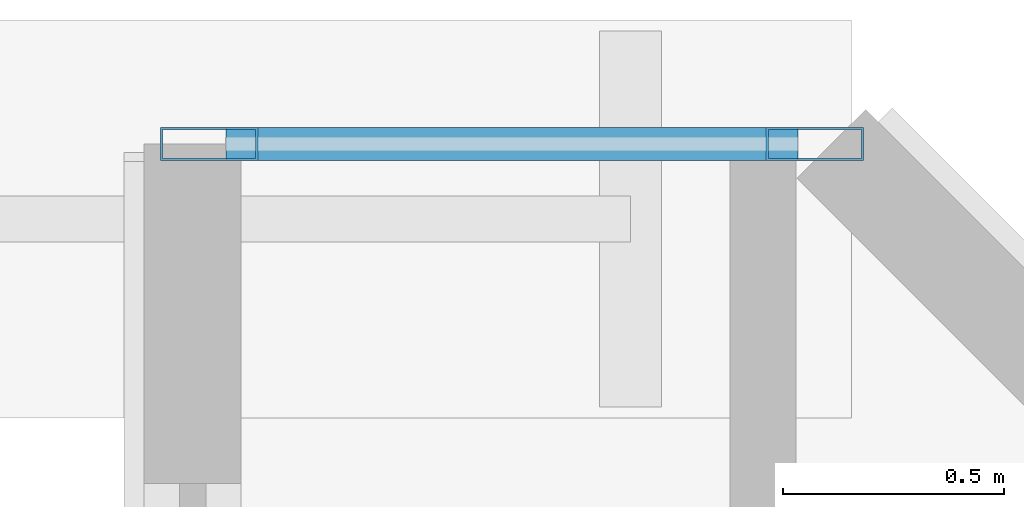
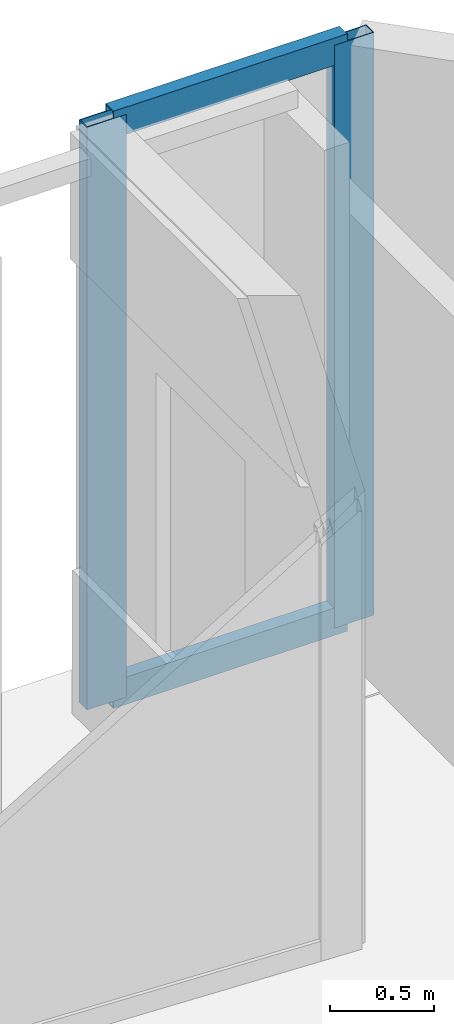
# One storey, part 19 of 32: 4 members, 1 element without a shape of its own.
"""IFC4 building model written with IfcOpenShell, lengths in metres."""

from ifc_helpers import new_model, si_unit, direction, frame, origin, origin_2d, place, context, subcontext, project, spatial, hollow_rectangle, extrude, material, layer, layer_set, material_profile, profile_set, type_object, element, aggregate, save


model = new_model("IFC4")

# Units and contexts
model_context = context("Model", 3, precision=1e-05, world=origin(), true_north=direction((0.0, 1.0)))
body_context = subcontext(model_context, "Body", "Model", "MODEL_VIEW")
ifc_project = project(units=[si_unit("LENGTHUNIT", "METRE"), si_unit("AREAUNIT", "SQUARE_METRE"), si_unit("VOLUMEUNIT", "CUBIC_METRE"), si_unit("PLANEANGLEUNIT", "RADIAN"), si_unit("MASSUNIT", "GRAM", prefix="KILO")], contexts=[model_context])

# Site, building, storey
site_placement = place(None, origin())
site = spatial("IfcSite", under=ifc_project, at=site_placement, CompositionType="ELEMENT")
building_placement = place(site_placement, origin())
building = spatial("IfcBuilding", under=site, at=building_placement, Name="Tanjung Sevakor Pilgrim Tower", CompositionType="ELEMENT")
storey_placement = place(building_placement, frame((0.0, 0.0, 211.860107421875)))
storey = spatial("IfcBuildingStorey", under=building, at=storey_placement, Name="L59", CompositionType="ELEMENT", Elevation=211.860107421875)

# Curtain wall, members
ifc_material_1 = material(Name="Aluminium 6063-T6 and Low-E Glass", Category="aluminium")
ifc_layer = layer(ifc_material_1, 0.199951171875)
ifc_layer_set = layer_set([ifc_layer], Name="CW-SYS-PRAY")
curtain_wall_type = type_object("IfcCurtainWallType", Name="CW-SYS-PRAY", PredefinedType="NOTDEFINED", material=ifc_layer_set)
curtain_wall_placement = place(storey_placement, origin())
curtain_wall = element("IfcCurtainWall", 1, at=curtain_wall_placement, inside=storey, type_object=curtain_wall_type, Name="L59 Curtain Wall CW-PRY-L59-18", PredefinedType="NOTDEFINED")
ifc_material_2 = material(Name="Aluminium 6063-T6", Category="aluminium")
ifc_material_profile_1 = material_profile(ifc_material_2, hollow_rectangle(XDim=0.074951171875, YDim=0.219970703125, WallThickness=0.0048828125, at=origin_2d()))
ifc_profile_set_1 = profile_set([ifc_material_profile_1], Name="Aluminium 6063-T6")
member_type_1 = type_object("IfcMemberType", Name="TYPE-CWM-2", PredefinedType="MULLION", material=ifc_profile_set_1)
member_1_placement = place(storey_placement, frame((95.31689453125, 55.0400390625, 0.0), z_axis=(0.0, 0.0, 1.0), x_axis=(0.0, -1.0, 0.0)))
member_1 = element("IfcMember", 2, at=member_1_placement, type_object=member_type_1, Name="CW-PRY mullion 1", PredefinedType="MULLION", context=body_context, shape_type="SweptSolid", body=[
    extrude(hollow_rectangle(XDim=0.074951171875, YDim=0.219970703125, WallThickness=0.0048828125, at=origin_2d()), origin(), (0.0, 0.0, 1.0), 3.409912109375),
])
member_2_placement = place(storey_placement, frame((93.947509765625, 55.0400390625, 0.0), z_axis=(0.0, 0.0, 1.0), x_axis=(0.0, -1.0, 0.0)))
member_2 = element("IfcMember", 3, at=member_2_placement, type_object=member_type_1, Name="CW-PRY mullion 2", PredefinedType="MULLION", context=body_context, shape_type="SweptSolid", body=[
    extrude(hollow_rectangle(XDim=0.074951171875, YDim=0.219970703125, WallThickness=0.0048828125, at=origin_2d()), origin(), (0.0, 0.0, 1.0), 3.409912109375),
])
ifc_material_3 = material(Name="Aluminium 6063-T6", Category="aluminium")
ifc_material_profile_2 = material_profile(ifc_material_3, hollow_rectangle(XDim=0.074951171875, YDim=0.159912109375, WallThickness=0.00439453125, at=origin_2d()))
ifc_profile_set_2 = profile_set([ifc_material_profile_2], Name="Aluminium 6063-T6")
member_type_2 = type_object("IfcMemberType", Name="TYPE-CWT-2", PredefinedType="USERDEFINED", material=ifc_profile_set_2)
member_3_placement = place(storey_placement, frame((95.279296875, 55.0400390625, 0.037353515625), z_axis=(-1.0, 0.0, 0.0), x_axis=(0.0, -1.0, 0.0)))
member_3 = element("IfcMember", 4, at=member_3_placement, type_object=member_type_2, Name="CW-PRY transom 1.1", ObjectType="TRANSOM", PredefinedType="USERDEFINED", context=body_context, shape_type="SweptSolid", body=[
    extrude(hollow_rectangle(XDim=0.074951171875, YDim=0.159912109375, WallThickness=0.00439453125, at=origin_2d()), origin(), (0.0, 0.0, 1.0), 1.294189453125),
])
member_4_placement = place(storey_placement, frame((95.279296875, 55.0400390625, 3.372314453125), z_axis=(-1.0, 0.0, 0.0), x_axis=(0.0, -1.0, 0.0)))
member_4 = element("IfcMember", 5, at=member_4_placement, type_object=member_type_2, Name="CW-PRY transom 1.2", ObjectType="TRANSOM", PredefinedType="USERDEFINED", context=body_context, shape_type="SweptSolid", body=[
    extrude(hollow_rectangle(XDim=0.074951171875, YDim=0.159912109375, WallThickness=0.00439453125, at=origin_2d()), origin(), (0.0, 0.0, 1.0), 1.294189453125),
])
aggregate(curtain_wall, [member_1, member_2, member_3, member_4])

save(model, "model.ifc")
